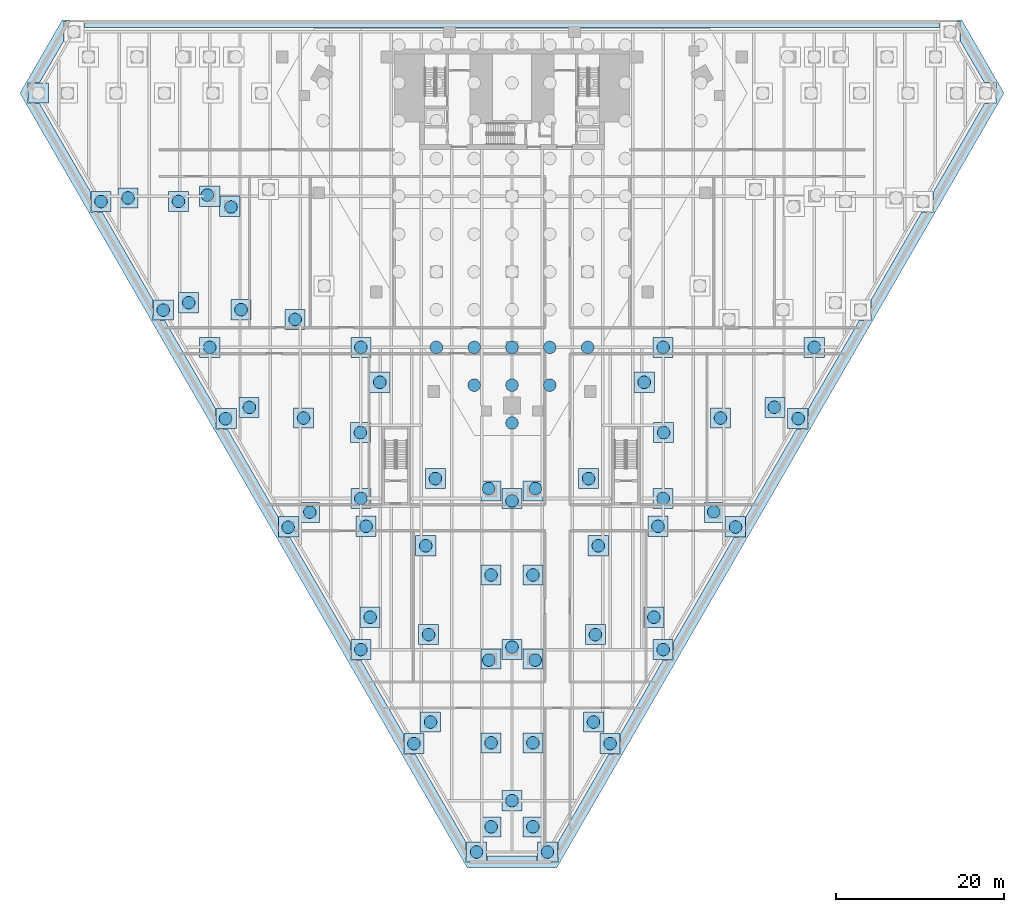
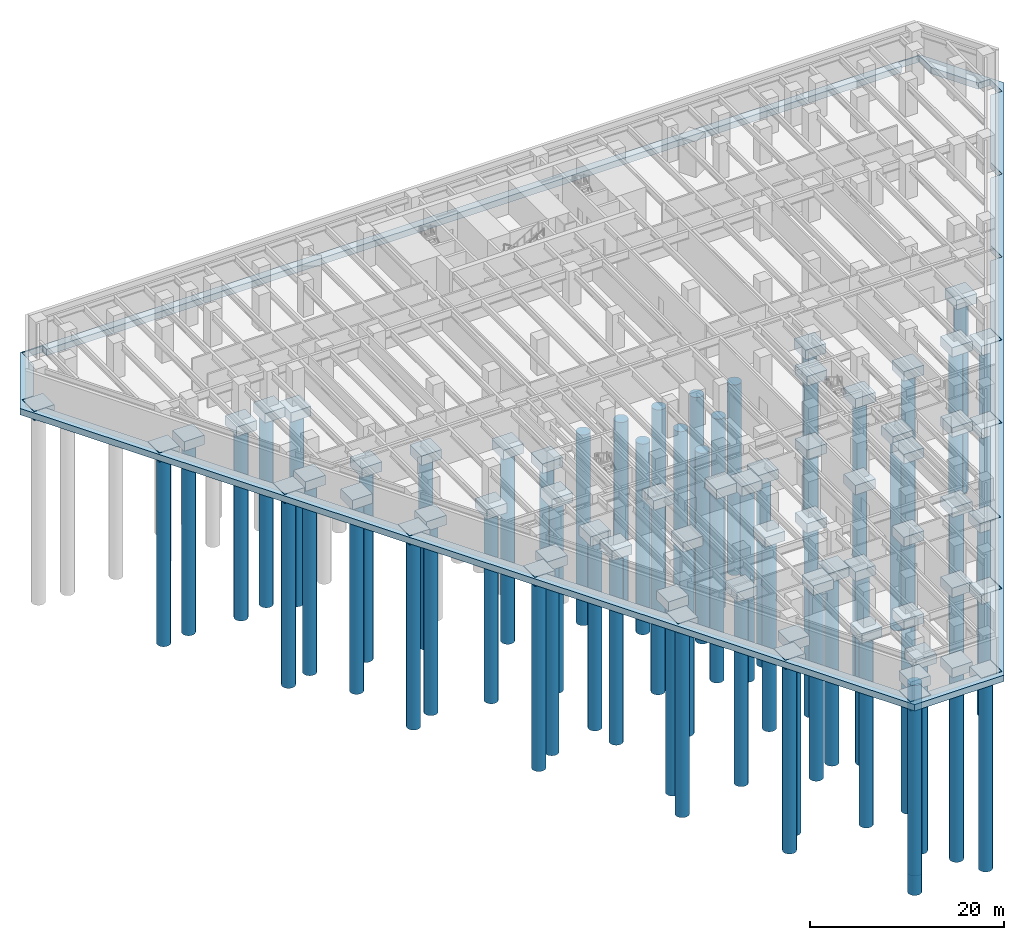
# One storey, part 1 of 18: 69 piles, 62 footings.
"""IFC4 building model written with IfcOpenShell, lengths in metres."""

from ifc_helpers import new_model, si_unit, direction, frame, origin, origin_2d, place, context, subcontext, project, spatial, polyline, rectangle, circle, outline, extrude, material, layer, layer_set, material_profile, profile_set, type_object, element, save


model = new_model("IFC4")

# Units and contexts
model_context = context("Model", 3, precision=1e-05, world=origin(), true_north=direction((0.0, 1.0)))
body_context = subcontext(model_context, "Body", "Model", "MODEL_VIEW")
ifc_project = project(units=[si_unit("LENGTHUNIT", "METRE"), si_unit("AREAUNIT", "SQUARE_METRE"), si_unit("VOLUMEUNIT", "CUBIC_METRE"), si_unit("PLANEANGLEUNIT", "RADIAN"), si_unit("MASSUNIT", "GRAM", prefix="KILO")], contexts=[model_context])

# Site, building, storey
site_placement = place(None, origin())
site = spatial("IfcSite", under=ifc_project, at=site_placement, CompositionType="ELEMENT")
building_placement = place(site_placement, origin())
building = spatial("IfcBuilding", under=site, at=building_placement, Name="Aloe Facet Convention Tower", CompositionType="ELEMENT")
storey_placement = place(building_placement, frame((0.0, 0.0, -9.0)))
storey = spatial("IfcBuildingStorey", under=building, at=storey_placement, Name="B2", CompositionType="ELEMENT", Elevation=-9.0)

# Footings
ifc_material_1 = material(Name="Concrete C40/50", Category="concrete")
footing_type_1 = type_object("IfcFootingType", Name="SF-PAD-3000", PredefinedType="PILE_CAP", material=ifc_material_1)
for number, where, z_axis, x_axis, name in (
    (1, (98.0, 99.0, -1.5), (0.0, 0.0, 1.0), (1.0, 0.0, 0.0), "PILE CAP PC-11E"),
    (2, (98.0, 81.0, -1.5), (0.0, 0.0, 1.0), (1.0, 0.0, 0.0), "PILE CAP PC-11G"),
    (3, (98.0, 63.0, -1.5), (0.0, 0.0, 1.0), (1.0, 0.0, 0.0), "PILE CAP PC-11J"),
    (4, (116.0, 99.0, -1.5), (0.0, 0.0, 1.0), (1.0, 0.0, 0.0), "PILE CAP PC-13E"),
    (5, (44.0, 117.0, -1.5), (0.0, 0.0, 1.0), (1.0, 0.0, 0.0), "PILE CAP PC-5C"),
    (6, (44.0, 99.0, -1.5), (0.0, 0.0, 1.0), (1.0, 0.0, 0.0), "PILE CAP PC-5E"),
    (7, (62.0, 99.0, -1.5), (0.0, 0.0, 1.0), (1.0, 0.0, 0.0), "PILE CAP PC-7E"),
    (8, (62.0, 81.0, -1.5), (0.0, 0.0, 1.0), (1.0, 0.0, 0.0), "PILE CAP PC-7G"),
    (9, (62.0, 63.0, -1.5), (0.0, 0.0, 1.0), (1.0, 0.0, 0.0), "PILE CAP PC-7J"),
    (10, (80.0, 81.0, -1.5), (0.0, 0.0, 1.0), (1.0, 0.0, 0.0), "PILE CAP PC-9G"),
    (11, (80.0, 63.0, -1.5), (0.0, 0.0, 1.0), (1.0, 0.0, 0.0), "PILE CAP PC-9J"),
    (12, (80.0, 45.0, -1.5), (0.0, 0.0, 1.0), (1.0, 0.0, 0.0), "PILE CAP PC-9L"),
    (13, (104.116943359375, 79.343017578125, -1.5), (0.0, 0.0, 1.0), (1.0, 0.0, 0.0), "PILE CAP PE-104-79"),
    (14, (104.8349609375, 90.5849609375, -1.5), (0.0, 0.0, 1.0), (1.0, 0.0, 0.0), "PILE CAP PE-105-91"),
    (15, (106.591064453125, 77.6279296875, -1.5), (0.0, 0.0, 1.0), (1.0, 0.0, 0.0), "PILE CAP PE-107-78"),
    (16, (111.325927734375, 91.827880859375, -1.5), (0.0, 0.0, 1.0), (1.0, 0.0, 0.0), "PILE CAP PE-111-92"),
    (17, (114.047119140625, 90.5419921875, -1.5), (0.0, 0.0, 1.0), (1.0, 0.0, 0.0), "PILE CAP PE-114-91"),
    (18, (23.5849609375, 129.283935546875, -1.5), (0.0, 0.0, 1.0), (1.0, 0.0, 0.0), "PILE CAP PE-24-129"),
    (19, (31.041015625, 116.3701171875, -1.5), (0.0, 0.0, 1.0), (1.0, 0.0, 0.0), "PILE CAP PE-31-116"),
    (20, (34.258056640625, 116.799072265625, -1.5), (0.0, 0.0, 1.0), (1.0, 0.0, 0.0), "PILE CAP PE-34-117"),
    (21, (38.4970703125, 103.4560546875, -1.5), (0.0, 0.0, 1.0), (1.0, 0.0, 0.0), "PILE CAP PE-38-103"),
    (22, (40.27001953125, 116.385009765625, -1.5), (0.0, 0.0, 1.0), (1.0, 0.0, 0.0), "PILE CAP PE-40-116"),
    (23, (41.466064453125, 104.31298828125, -1.5), (0.0, 0.0, 1.0), (1.0, 0.0, 0.0), "PILE CAP PE-41-104"),
    (24, (46.37890625, 115.804931640625, -1.5), (0.0, 0.0, 1.0), (1.0, 0.0, 0.0), "PILE CAP PE-46-116"),
    (25, (45.952880859375, 90.5419921875, -1.5), (0.0, 0.0, 1.0), (1.0, 0.0, 0.0), "PILE CAP PE-46-91"),
    (26, (47.718017578125, 103.485107421875, -1.5), (0.0, 0.0, 1.0), (1.0, 0.0, 0.0), "PILE CAP PE-48-103"),
    (27, (48.674072265625, 91.827880859375, -1.5), (0.0, 0.0, 1.0), (1.0, 0.0, 0.0), "PILE CAP PE-49-92"),
    (28, (53.408935546875, 77.6279296875, -1.5), (0.0, 0.0, 1.0), (1.0, 0.0, 0.0), "PILE CAP PE-53-78"),
    (29, (54.160888671875, 102.324951171875, -1.5), (0.0, 0.0, 1.0), (1.0, 0.0, 0.0), "PILE CAP PE-54-102"),
    (30, (55.1650390625, 90.5849609375, -1.5), (0.0, 0.0, 1.0), (1.0, 0.0, 0.0), "PILE CAP PE-55-91"),
    (31, (55.883056640625, 79.343017578125, -1.5), (0.0, 0.0, 1.0), (1.0, 0.0, 0.0), "PILE CAP PE-56-79"),
    (32, (61.943115234375, 88.844970703125, -1.5), (0.0, 0.0, 1.0), (1.0, 0.0, 0.0), "PILE CAP PE-62-89"),
    (33, (63.091064453125, 66.85693359375, -1.5), (0.0, 0.0, 1.0), (1.0, 0.0, 0.0), "PILE CAP PE-63-67"),
    (34, (62.613037109375, 77.68603515625, -1.5), (0.0, 0.0, 1.0), (1.0, 0.0, 0.0), "PILE CAP PE-63-78"),
    (35, (64.2529296875, 94.844970703125, -1.5), (0.0, 0.0, 1.0), (1.0, 0.0, 0.0), "PILE CAP PE-64-95"),
    (36, (68.320068359375, 51.800048828125, -1.5), (0.0, 0.0, 1.0), (1.0, 0.0, 0.0), "PILE CAP PE-68-52"),
    (37, (70.300048828125, 54.3720703125, -1.5), (0.0, 0.0, 1.0), (1.0, 0.0, 0.0), "PILE CAP PE-70-54"),
    (38, (70.06103515625, 64.785888671875, -1.5), (0.0, 0.0, 1.0), (1.0, 0.0, 0.0), "PILE CAP PE-70-65"),
    (39, (69.72607421875, 75.365966796875, -1.5), (0.0, 0.0, 1.0), (1.0, 0.0, 0.0), "PILE CAP PE-70-75"),
    (40, (70.881103515625, 83.365966796875, -1.5), (0.0, 0.0, 1.0), (1.0, 0.0, 0.0), "PILE CAP PE-71-83"),
    (41, (75.77587890625, 38.885986328125, -1.5), (0.0, 0.0, 1.0), (1.0, 0.0, 0.0), "PILE CAP PE-76-39"),
    (42, (77.508056640625, 41.885986328125, -1.5), (0.0, 0.0, 1.0), (1.0, 0.0, 0.0), "PILE CAP PE-78-42"),
    (43, (77.508056640625, 51.885986328125, -1.5), (0.0, 0.0, 1.0), (1.0, 0.0, 0.0), "PILE CAP PE-78-52"),
    (44, (77.508056640625, 61.885986328125, -1.5), (0.0, 0.0, 1.0), (1.0, 0.0, 0.0), "PILE CAP PE-78-62"),
    (45, (77.508056640625, 71.885986328125, -1.5), (0.0, 0.0, 1.0), (1.0, 0.0, 0.0), "PILE CAP PE-78-72"),
    (46, (77.508056640625, 81.885986328125, -1.5), (0.0, 0.0, 1.0), (1.0, 0.0, 0.0), "PILE CAP PE-78-82"),
    (47, (82.491943359375, 41.885986328125, -1.5), (0.0, 0.0, 1.0), (1.0, 0.0, 0.0), "PILE CAP PE-82-42"),
    (48, (82.491943359375, 51.885986328125, -1.5), (0.0, 0.0, 1.0), (1.0, 0.0, 0.0), "PILE CAP PE-82-52"),
    (49, (82.491943359375, 61.885986328125, -1.5), (0.0, 0.0, 1.0), (1.0, 0.0, 0.0), "PILE CAP PE-82-62"),
    (50, (82.491943359375, 71.885986328125, -1.5), (0.0, 0.0, 1.0), (1.0, 0.0, 0.0), "PILE CAP PE-82-72"),
    (51, (82.491943359375, 81.885986328125, -1.5), (0.0, 0.0, 1.0), (1.0, 0.0, 0.0), "PILE CAP PE-82-82"),
    (52, (84.22412109375, 38.885986328125, -1.5), (0.0, 0.0, 1.0), (1.0, 0.0, 0.0), "PILE CAP PE-84-39"),
    (53, (89.118896484375, 83.365966796875, -1.5), (0.0, 0.0, 1.0), (1.0, 0.0, 0.0), "PILE CAP PE-89-83"),
    (54, (89.699951171875, 54.3720703125, -1.5), (0.0, 0.0, 1.0), (1.0, 0.0, 0.0), "PILE CAP PE-90-54"),
    (55, (89.93896484375, 64.785888671875, -1.5), (0.0, 0.0, 1.0), (1.0, 0.0, 0.0), "PILE CAP PE-90-65"),
    (56, (90.27392578125, 75.365966796875, -1.5), (0.0, 0.0, 1.0), (1.0, 0.0, 0.0), "PILE CAP PE-90-75"),
    (57, (91.679931640625, 51.800048828125, -1.5), (0.0, 0.0, 1.0), (1.0, 0.0, 0.0), "PILE CAP PE-92-52"),
    (58, (95.7470703125, 94.844970703125, -1.5), (0.0, 0.0, 1.0), (1.0, 0.0, 0.0), "PILE CAP PE-96-95"),
    (59, (96.908935546875, 66.85693359375, -1.5), (0.0, 0.0, 1.0), (1.0, 0.0, 0.0), "PILE CAP PE-97-67"),
    (60, (97.386962890625, 77.68603515625, -1.5), (0.0, 0.0, 1.0), (1.0, 0.0, 0.0), "PILE CAP PE-97-78"),
    (61, (98.056884765625, 88.844970703125, -1.5), (0.0, 0.0, 1.0), (1.0, 0.0, 0.0), "PILE CAP PE-98-89"),
):
    element("IfcFooting", number, at=place(storey_placement, frame(where, z_axis=z_axis, x_axis=x_axis)), inside=storey, type_object=footing_type_1, Name=name, PredefinedType="PILE_CAP", context=body_context, shape_type="SweptSolid", body=[
        extrude(rectangle(XDim=2.39990234375, YDim=2.39990234375, at=origin_2d()), origin(), (0.0, 0.0, 1.0), 1.199951171875),
    ])

# Piles
ifc_material_2 = material(Name="Concrete C40/50", Category="concrete")
ifc_material_profile = material_profile(ifc_material_2, circle(Radius=0.75, at=origin_2d()), Name="D1500")
ifc_profile_set = profile_set([ifc_material_profile], Name="Concrete C40/50")
pile_type = type_object("IfcPileType", Name="SF-PILE-D1500", PredefinedType="BORED", material=ifc_profile_set)
for number, where, z_axis, x_axis, name in (
    (62, (71.0, 99.0, -2.14990234375), (0.0, 0.0, -1.0), (1.0, 0.0, 0.0), "BORED PILE 041"),
    (63, (75.5, 94.5, -2.14990234375), (0.0, 0.0, -1.0), (1.0, 0.0, 0.0), "BORED PILE 045"),
    (64, (75.5, 99.0, -2.14990234375), (0.0, 0.0, -1.0), (1.0, 0.0, 0.0), "BORED PILE 046"),
    (65, (80.0, 90.0, -2.14990234375), (0.0, 0.0, -1.0), (1.0, 0.0, 0.0), "BORED PILE 050"),
    (66, (80.0, 94.5, -2.14990234375), (0.0, 0.0, -1.0), (1.0, 0.0, 0.0), "BORED PILE 051"),
    (67, (80.0, 99.0, -2.14990234375), (0.0, 0.0, -1.0), (1.0, 0.0, 0.0), "BORED PILE 052"),
    (68, (84.5, 94.5, -2.14990234375), (0.0, 0.0, -1.0), (1.0, 0.0, 0.0), "BORED PILE 056"),
    (69, (84.5, 99.0, -2.14990234375), (0.0, 0.0, -1.0), (1.0, 0.0, 0.0), "BORED PILE 057"),
    (70, (89.0, 99.0, -2.14990234375), (0.0, 0.0, -1.0), (1.0, 0.0, 0.0), "BORED PILE 061"),
    (71, (98.0, 99.0, -1.35009765625), (0.0, 0.0, -1.0), (1.0, 0.0, 0.0), "BORED PILE 070"),
    (72, (98.0, 81.0, -1.35009765625), (0.0, 0.0, -1.0), (1.0, 0.0, 0.0), "BORED PILE 071"),
    (73, (98.0, 63.0, -1.35009765625), (0.0, 0.0, -1.0), (1.0, 0.0, 0.0), "BORED PILE 072"),
    (74, (116.0, 99.0, -1.35009765625), (0.0, 0.0, -1.0), (1.0, 0.0, 0.0), "BORED PILE 074"),
    (75, (43.7099609375, 117.146484375, -1.35009765625), (0.0, 0.0, -1.0), (1.0, 0.0, 0.0), "BORED PILE 075"),
    (76, (44.0, 99.0, -1.35009765625), (0.0, 0.0, -1.0), (1.0, 0.0, 0.0), "BORED PILE 076"),
    (77, (62.0, 99.0, -1.35009765625), (0.0, 0.0, -1.0), (1.0, 0.0, 0.0), "BORED PILE 077"),
    (78, (62.0, 81.0, -1.35009765625), (0.0, 0.0, -1.0), (1.0, 0.0, 0.0), "BORED PILE 078"),
    (79, (62.0, 63.0, -1.35009765625), (0.0, 0.0, -1.0), (1.0, 0.0, 0.0), "BORED PILE 079"),
    (80, (80.0, 80.7099609375, -1.35009765625), (0.0, 0.0, -1.0), (1.0, 0.0, 0.0), "BORED PILE 080"),
    (81, (80.0, 63.2900390625, -1.35009765625), (0.0, 0.0, -1.0), (1.0, 0.0, 0.0), "BORED PILE 081"),
    (82, (80.0, 45.0, -1.35009765625), (0.0, 0.0, -1.0), (1.0, 0.0, 0.0), "BORED PILE 082"),
    (83, (104.039794921875, 79.396484375, -1.35009765625), (0.0, 0.0, -1.0), (1.0, 0.0, 0.0), "BORED PILE 084"),
    (84, (104.8349609375, 90.5849609375, -1.35009765625), (0.0, 0.0, -1.0), (1.0, 0.0, 0.0), "BORED PILE 085"),
    (85, (106.629150390625, 77.6015625, -1.35009765625), (0.0, 0.0, -1.0), (1.0, 0.0, 0.0), "BORED PILE 087"),
    (86, (111.240478515625, 91.868408203125, -1.35009765625), (0.0, 0.0, -1.0), (1.0, 0.0, 0.0), "BORED PILE 090"),
    (87, (114.089111328125, 90.52197265625, -1.35009765625), (0.0, 0.0, -1.0), (1.0, 0.0, 0.0), "BORED PILE 094"),
    (88, (31.041015625, 116.3701171875, -1.35009765625), (0.0, 0.0, -1.0), (1.0, 0.0, 0.0), "BORED PILE 114"),
    (89, (34.258056640625, 116.799072265625, -1.35009765625), (0.0, 0.0, -1.0), (1.0, 0.0, 0.0), "BORED PILE 116"),
    (90, (38.4580078125, 103.44482421875, -1.35009765625), (0.0, 0.0, -1.0), (1.0, 0.0, 0.0), "BORED PILE 118"),
    (91, (40.27001953125, 116.385009765625, -1.35009765625), (0.0, 0.0, -1.0), (1.0, 0.0, 0.0), "BORED PILE 120"),
    (92, (41.484619140625, 104.318359375, -1.35009765625), (0.0, 0.0, -1.0), (1.0, 0.0, 0.0), "BORED PILE 121"),
    (93, (46.5244140625, 115.73193359375, -1.35009765625), (0.0, 0.0, -1.0), (1.0, 0.0, 0.0), "BORED PILE 125"),
    (94, (45.867431640625, 90.501708984375, -1.35009765625), (0.0, 0.0, -1.0), (1.0, 0.0, 0.0), "BORED PILE 126"),
    (95, (47.718017578125, 103.485107421875, -1.35009765625), (0.0, 0.0, -1.0), (1.0, 0.0, 0.0), "BORED PILE 128"),
    (96, (48.71630859375, 91.847900390625, -1.35009765625), (0.0, 0.0, -1.0), (1.0, 0.0, 0.0), "BORED PILE 129"),
    (97, (53.331787109375, 77.574462890625, -1.35009765625), (0.0, 0.0, -1.0), (1.0, 0.0, 0.0), "BORED PILE 132"),
    (98, (54.160888671875, 102.324951171875, -1.35009765625), (0.0, 0.0, -1.0), (1.0, 0.0, 0.0), "BORED PILE 133"),
    (99, (55.1650390625, 90.5849609375, -1.35009765625), (0.0, 0.0, -1.0), (1.0, 0.0, 0.0), "BORED PILE 134"),
    (100, (55.921142578125, 79.369384765625, -1.35009765625), (0.0, 0.0, -1.0), (1.0, 0.0, 0.0), "BORED PILE 135"),
    (101, (61.943115234375, 88.844970703125, -1.35009765625), (0.0, 0.0, -1.0), (1.0, 0.0, 0.0), "BORED PILE 137"),
    (102, (63.091064453125, 66.85693359375, -1.35009765625), (0.0, 0.0, -1.0), (1.0, 0.0, 0.0), "BORED PILE 138"),
    (103, (62.613037109375, 77.68603515625, -1.35009765625), (0.0, 0.0, -1.0), (1.0, 0.0, 0.0), "BORED PILE 139"),
    (104, (64.2529296875, 94.844970703125, -1.35009765625), (0.0, 0.0, -1.0), (1.0, 0.0, 0.0), "BORED PILE 140"),
    (105, (68.320068359375, 51.800048828125, -1.35009765625), (0.0, 0.0, -1.0), (1.0, 0.0, 0.0), "BORED PILE 141"),
    (106, (70.300048828125, 54.3720703125, -1.35009765625), (0.0, 0.0, -1.0), (1.0, 0.0, 0.0), "BORED PILE 142"),
    (107, (70.06103515625, 64.785888671875, -1.35009765625), (0.0, 0.0, -1.0), (1.0, 0.0, 0.0), "BORED PILE 143"),
    (108, (69.72607421875, 75.365966796875, -1.35009765625), (0.0, 0.0, -1.0), (1.0, 0.0, 0.0), "BORED PILE 144"),
    (109, (70.881103515625, 83.365966796875, -1.35009765625), (0.0, 0.0, -1.0), (1.0, 0.0, 0.0), "BORED PILE 145"),
    (110, (75.77587890625, 38.885986328125, -1.35009765625), (0.0, 0.0, -1.0), (1.0, 0.0, 0.0), "BORED PILE 146"),
    (111, (77.508056640625, 41.885986328125, -1.35009765625), (0.0, 0.0, -1.0), (1.0, 0.0, 0.0), "BORED PILE 147"),
    (112, (77.508056640625, 51.885986328125, -1.35009765625), (0.0, 0.0, -1.0), (1.0, 0.0, 0.0), "BORED PILE 148"),
    (113, (77.25146484375, 61.75, -1.35009765625), (0.0, 0.0, -1.0), (1.0, 0.0, 0.0), "BORED PILE 149"),
    (114, (77.508056640625, 71.885986328125, -1.35009765625), (0.0, 0.0, -1.0), (1.0, 0.0, 0.0), "BORED PILE 150"),
    (115, (77.218017578125, 82.176025390625, -1.35009765625), (0.0, 0.0, -1.0), (1.0, 0.0, 0.0), "BORED PILE 151"),
    (116, (82.491943359375, 41.885986328125, -1.35009765625), (0.0, 0.0, -1.0), (1.0, 0.0, 0.0), "BORED PILE 152"),
    (117, (82.491943359375, 51.885986328125, -1.35009765625), (0.0, 0.0, -1.0), (1.0, 0.0, 0.0), "BORED PILE 153"),
    (118, (82.74853515625, 61.75, -1.35009765625), (0.0, 0.0, -1.0), (1.0, 0.0, 0.0), "BORED PILE 154"),
    (119, (82.491943359375, 71.885986328125, -1.35009765625), (0.0, 0.0, -1.0), (1.0, 0.0, 0.0), "BORED PILE 155"),
    (120, (82.781982421875, 82.176025390625, -1.35009765625), (0.0, 0.0, -1.0), (1.0, 0.0, 0.0), "BORED PILE 156"),
    (121, (84.22412109375, 38.885986328125, -1.35009765625), (0.0, 0.0, -1.0), (1.0, 0.0, 0.0), "BORED PILE 157"),
    (122, (89.118896484375, 83.365966796875, -1.35009765625), (0.0, 0.0, -1.0), (1.0, 0.0, 0.0), "BORED PILE 158"),
    (123, (89.699951171875, 54.3720703125, -1.35009765625), (0.0, 0.0, -1.0), (1.0, 0.0, 0.0), "BORED PILE 159"),
    (124, (89.93896484375, 64.785888671875, -1.35009765625), (0.0, 0.0, -1.0), (1.0, 0.0, 0.0), "BORED PILE 160"),
    (125, (90.27392578125, 75.365966796875, -1.35009765625), (0.0, 0.0, -1.0), (1.0, 0.0, 0.0), "BORED PILE 161"),
    (126, (91.679931640625, 51.800048828125, -1.35009765625), (0.0, 0.0, -1.0), (1.0, 0.0, 0.0), "BORED PILE 162"),
    (127, (95.7470703125, 94.844970703125, -1.35009765625), (0.0, 0.0, -1.0), (1.0, 0.0, 0.0), "BORED PILE 163"),
    (128, (96.908935546875, 66.85693359375, -1.35009765625), (0.0, 0.0, -1.0), (1.0, 0.0, 0.0), "BORED PILE 164"),
    (129, (97.386962890625, 77.68603515625, -1.35009765625), (0.0, 0.0, -1.0), (1.0, 0.0, 0.0), "BORED PILE 165"),
    (130, (98.056884765625, 88.844970703125, -1.35009765625), (0.0, 0.0, -1.0), (1.0, 0.0, 0.0), "BORED PILE 166"),
):
    element("IfcPile", number, at=place(storey_placement, frame(where, z_axis=z_axis, x_axis=x_axis)), inside=storey, type_object=pile_type, Name=name, PredefinedType="BORED", context=body_context, shape_type="SweptSolid", body=[
        extrude(circle(Radius=0.75, at=origin_2d()), origin(), (0.0, 0.0, 1.0), 24.0),
    ])

# Footing
ifc_material_3 = material(Name="Concrete C40/50", Category="concrete")
ifc_layer = layer(ifc_material_3, 0.800048828125)
ifc_layer_set = layer_set([ifc_layer], Name="SF-STRIP-1400")
footing_type_2 = type_object("IfcFootingType", Name="SF-STRIP-1400", PredefinedType="STRIP_FOOTING", material=ifc_layer_set)
footing_placement = place(storey_placement, frame((0.0, 0.0, -1.10009765625)))
element("IfcFooting", 131, at=footing_placement, inside=storey, type_object=footing_type_2, Name="STRIP FOOTING SF1-01", PredefinedType="STRIP_FOOTING", context=body_context, shape_type="SweptSolid", body=[
    extrude(outline(polyline([(26.423095703125, 138.0), (133.576904296875, 138.0), (138.60888671875, 129.2841796875), (85.32080078125, 36.986328125), (74.67919921875, 36.986328125), (21.39111328125, 129.2841796875), (26.423095703125, 138.0)]), holes=[polyline([(22.385009765625, 130.533935546875), (22.380126953125, 130.53369140625), (22.375244140625, 130.532958984375), (22.37060546875, 130.53173828125), (22.365966796875, 130.5302734375), (22.361328125, 130.528076171875), (22.357177734375, 130.525634765625), (22.353271484375, 130.522705078125), (22.349609375, 130.519287109375), (22.34619140625, 130.515625), (22.343505859375, 130.51171875), (22.3408203125, 130.507568359375), (22.3388671875, 130.503173828125), (22.337158203125, 130.49853515625), (22.3359375, 130.493896484375), (22.335205078125, 130.489013671875), (22.3349609375, 130.48388671875), (22.3349609375, 128.083984375), (22.335205078125, 128.0791015625), (22.3359375, 128.07421875), (22.337158203125, 128.069580078125), (22.3388671875, 128.06494140625), (22.3408203125, 128.060302734375), (22.343505859375, 128.05615234375), (22.34619140625, 128.05224609375), (22.349609375, 128.048583984375), (22.353271484375, 128.04541015625), (22.357177734375, 128.04248046875), (22.361328125, 128.039794921875), (22.365966796875, 128.037841796875), (22.37060546875, 128.0361328125), (22.375244140625, 128.034912109375), (22.380126953125, 128.0341796875), (22.385009765625, 128.033935546875), (23.7294921875, 128.033935546875), (29.791015625, 117.53515625), (29.791015625, 115.169921875), (29.791259765625, 115.1650390625), (29.7919921875, 115.16015625), (29.793212890625, 115.155517578125), (29.794921875, 115.15087890625), (29.796875, 115.146484375), (29.79931640625, 115.14208984375), (29.80224609375, 115.13818359375), (29.8056640625, 115.134521484375), (29.809326171875, 115.13134765625), (29.813232421875, 115.12841796875), (29.8173828125, 115.1259765625), (29.822021484375, 115.123779296875), (29.826416015625, 115.122314453125), (29.831298828125, 115.12109375), (29.836181640625, 115.1201171875), (29.841064453125, 115.1201171875), (31.185302734375, 115.1201171875), (37.2470703125, 104.620849609375), (37.2470703125, 102.256103515625), (37.247314453125, 102.251220703125), (37.248046875, 102.24609375), (37.249267578125, 102.241455078125), (37.250732421875, 102.23681640625), (37.2529296875, 102.232421875), (37.25537109375, 102.228271484375), (37.25830078125, 102.224365234375), (37.26171875, 102.220703125), (37.265380859375, 102.21728515625), (37.269287109375, 102.21435546875), (37.2734375, 102.2119140625), (37.27783203125, 102.209716796875), (37.282470703125, 102.208251953125), (37.287109375, 102.20703125), (37.2919921875, 102.206298828125), (37.297119140625, 102.2060546875), (38.64111328125, 102.2060546875), (44.702880859375, 91.706787109375), (44.702880859375, 89.342041015625), (44.703125, 89.337158203125), (44.7041015625, 89.332275390625), (44.705078125, 89.327392578125), (44.706787109375, 89.322998046875), (44.708984375, 89.318359375), (44.71142578125, 89.314208984375), (44.71435546875, 89.310302734375), (44.717529296875, 89.306640625), (44.72119140625, 89.30322265625), (44.72509765625, 89.30029296875), (44.7294921875, 89.2978515625), (44.73388671875, 89.2958984375), (44.738525390625, 89.294189453125), (44.7431640625, 89.29296875), (44.748046875, 89.292236328125), (44.7529296875, 89.2919921875), (46.09716796875, 89.2919921875), (52.158935546875, 78.79248046875), (52.158935546875, 76.427978515625), (52.1591796875, 76.423095703125), (52.159912109375, 76.418212890625), (52.1611328125, 76.41357421875), (52.162841796875, 76.408935546875), (52.164794921875, 76.404296875), (52.16748046875, 76.400146484375), (52.17041015625, 76.396240234375), (52.173583984375, 76.392578125), (52.17724609375, 76.389404296875), (52.18115234375, 76.386474609375), (52.185302734375, 76.3837890625), (52.18994140625, 76.3818359375), (52.194580078125, 76.380126953125), (52.19921875, 76.37890625), (52.2041015625, 76.378173828125), (52.208984375, 76.3779296875), (53.552978515625, 76.3779296875), (60.75, 63.91259765625), (60.75, 61.800048828125), (60.750244140625, 61.795166015625), (60.7509765625, 61.790283203125), (60.752197265625, 61.785400390625), (60.75390625, 61.781005859375), (60.755859375, 61.7763671875), (60.75830078125, 61.772216796875), (60.76123046875, 61.768310546875), (60.7646484375, 61.7646484375), (60.768310546875, 61.76123046875), (60.772216796875, 61.75830078125), (60.7763671875, 61.755859375), (60.781005859375, 61.75390625), (60.785400390625, 61.752197265625), (60.790283203125, 61.7509765625), (60.795166015625, 61.750244140625), (60.800048828125, 61.75), (61.99853515625, 61.75), (67.070068359375, 52.9658203125), (67.070068359375, 50.60009765625), (67.0703125, 50.59521484375), (67.071044921875, 50.590087890625), (67.072265625, 50.58544921875), (67.07373046875, 50.580810546875), (67.075927734375, 50.576416015625), (67.078369140625, 50.572265625), (67.081298828125, 50.568359375), (67.084716796875, 50.564697265625), (67.08837890625, 50.561279296875), (67.09228515625, 50.558349609375), (67.096435546875, 50.555908203125), (67.100830078125, 50.5537109375), (67.10546875, 50.55224609375), (67.110107421875, 50.551025390625), (67.114990234375, 50.55029296875), (67.1201171875, 50.550048828125), (68.46484375, 50.550048828125), (74.52587890625, 40.0517578125), (74.52587890625, 37.68603515625), (74.526123046875, 37.68115234375), (74.527099609375, 37.67626953125), (74.5283203125, 37.67138671875), (74.52978515625, 37.6669921875), (74.531982421875, 37.662353515625), (74.534423828125, 37.658203125), (74.537353515625, 37.654296875), (74.54052734375, 37.650634765625), (74.544189453125, 37.647216796875), (74.548095703125, 37.644287109375), (74.552490234375, 37.641845703125), (74.556884765625, 37.639892578125), (74.5615234375, 37.63818359375), (74.566162109375, 37.636962890625), (74.571044921875, 37.63623046875), (74.575927734375, 37.635986328125), (76.97607421875, 37.635986328125), (76.98095703125, 37.63623046875), (76.98583984375, 37.636962890625), (76.990478515625, 37.63818359375), (76.9951171875, 37.639892578125), (76.99951171875, 37.641845703125), (77.00390625, 37.644287109375), (77.0078125, 37.647216796875), (77.011474609375, 37.650634765625), (77.0146484375, 37.654296875), (77.017578125, 37.658203125), (77.02001953125, 37.662353515625), (77.022216796875, 37.6669921875), (77.023681640625, 37.67138671875), (77.02490234375, 37.67626953125), (77.02587890625, 37.68115234375), (77.02587890625, 37.68603515625), (77.02587890625, 38.38623046875), (82.97412109375, 38.38623046875), (82.97412109375, 37.68603515625), (82.97412109375, 37.68115234375), (82.97509765625, 37.67626953125), (82.976318359375, 37.67138671875), (82.977783203125, 37.6669921875), (82.97998046875, 37.662353515625), (82.982421875, 37.658203125), (82.9853515625, 37.654296875), (82.988525390625, 37.650634765625), (82.9921875, 37.647216796875), (82.99609375, 37.644287109375), (83.00048828125, 37.641845703125), (83.0048828125, 37.639892578125), (83.009521484375, 37.63818359375), (83.01416015625, 37.636962890625), (83.01904296875, 37.63623046875), (83.02392578125, 37.635986328125), (85.424072265625, 37.635986328125), (85.428955078125, 37.63623046875), (85.433837890625, 37.636962890625), (85.4384765625, 37.63818359375), (85.443115234375, 37.639892578125), (85.447509765625, 37.641845703125), (85.451904296875, 37.644287109375), (85.455810546875, 37.647216796875), (85.45947265625, 37.650634765625), (85.462646484375, 37.654296875), (85.465576171875, 37.658203125), (85.468017578125, 37.662353515625), (85.47021484375, 37.6669921875), (85.4716796875, 37.67138671875), (85.472900390625, 37.67626953125), (85.473876953125, 37.68115234375), (85.47412109375, 37.68603515625), (85.47412109375, 40.0517578125), (91.53515625, 50.550048828125), (92.8798828125, 50.550048828125), (92.885009765625, 50.55029296875), (92.889892578125, 50.551025390625), (92.89453125, 50.55224609375), (92.899169921875, 50.5537109375), (92.903564453125, 50.555908203125), (92.90771484375, 50.558349609375), (92.91162109375, 50.561279296875), (92.915283203125, 50.564697265625), (92.918701171875, 50.568359375), (92.921630859375, 50.572265625), (92.924072265625, 50.576416015625), (92.92626953125, 50.580810546875), (92.927734375, 50.58544921875), (92.928955078125, 50.590087890625), (92.9296875, 50.59521484375), (92.929931640625, 50.60009765625), (92.929931640625, 52.9658203125), (98.00146484375, 61.75), (99.199951171875, 61.75), (99.204833984375, 61.750244140625), (99.209716796875, 61.7509765625), (99.214599609375, 61.752197265625), (99.218994140625, 61.75390625), (99.2236328125, 61.755859375), (99.227783203125, 61.75830078125), (99.231689453125, 61.76123046875), (99.2353515625, 61.7646484375), (99.23876953125, 61.768310546875), (99.24169921875, 61.772216796875), (99.244140625, 61.7763671875), (99.24609375, 61.781005859375), (99.247802734375, 61.785400390625), (99.2490234375, 61.790283203125), (99.249755859375, 61.795166015625), (99.25, 61.800048828125), (99.25, 63.91259765625), (106.447021484375, 76.3779296875), (107.791015625, 76.3779296875), (107.7958984375, 76.378173828125), (107.80078125, 76.37890625), (107.805419921875, 76.380126953125), (107.81005859375, 76.3818359375), (107.814697265625, 76.3837890625), (107.81884765625, 76.386474609375), (107.82275390625, 76.389404296875), (107.826416015625, 76.392578125), (107.82958984375, 76.396240234375), (107.83251953125, 76.400146484375), (107.835205078125, 76.404296875), (107.837158203125, 76.408935546875), (107.8388671875, 76.41357421875), (107.840087890625, 76.418212890625), (107.8408203125, 76.423095703125), (107.841064453125, 76.427978515625), (107.841064453125, 78.79248046875), (113.90283203125, 89.2919921875), (115.2470703125, 89.2919921875), (115.251953125, 89.292236328125), (115.2568359375, 89.29296875), (115.261474609375, 89.294189453125), (115.26611328125, 89.2958984375), (115.2705078125, 89.2978515625), (115.27490234375, 89.30029296875), (115.27880859375, 89.30322265625), (115.282470703125, 89.306640625), (115.28564453125, 89.310302734375), (115.28857421875, 89.314208984375), (115.291015625, 89.318359375), (115.293212890625, 89.322998046875), (115.294921875, 89.327392578125), (115.2958984375, 89.332275390625), (115.296875, 89.337158203125), (115.297119140625, 89.342041015625), (115.297119140625, 91.706787109375), (121.35888671875, 102.2060546875), (122.702880859375, 102.2060546875), (122.7080078125, 102.206298828125), (122.712890625, 102.20703125), (122.717529296875, 102.208251953125), (122.72216796875, 102.209716796875), (122.7265625, 102.2119140625), (122.730712890625, 102.21435546875), (122.734619140625, 102.21728515625), (122.73828125, 102.220703125), (122.74169921875, 102.224365234375), (122.74462890625, 102.228271484375), (122.7470703125, 102.232421875), (122.749267578125, 102.23681640625), (122.750732421875, 102.241455078125), (122.751953125, 102.24609375), (122.752685546875, 102.251220703125), (122.7529296875, 102.256103515625), (122.7529296875, 104.620849609375), (128.814697265625, 115.1201171875), (130.158935546875, 115.1201171875), (130.163818359375, 115.1201171875), (130.168701171875, 115.12109375), (130.173583984375, 115.122314453125), (130.177978515625, 115.123779296875), (130.1826171875, 115.1259765625), (130.186767578125, 115.12841796875), (130.190673828125, 115.13134765625), (130.1943359375, 115.134521484375), (130.19775390625, 115.13818359375), (130.20068359375, 115.14208984375), (130.203125, 115.146484375), (130.205078125, 115.15087890625), (130.206787109375, 115.155517578125), (130.2080078125, 115.16015625), (130.208740234375, 115.1650390625), (130.208984375, 115.169921875), (130.208984375, 117.53515625), (136.2705078125, 128.033935546875), (137.614990234375, 128.033935546875), (137.619873046875, 128.0341796875), (137.624755859375, 128.034912109375), (137.62939453125, 128.0361328125), (137.634033203125, 128.037841796875), (137.638671875, 128.039794921875), (137.642822265625, 128.04248046875), (137.646728515625, 128.04541015625), (137.650390625, 128.048583984375), (137.65380859375, 128.05224609375), (137.656494140625, 128.05615234375), (137.6591796875, 128.060302734375), (137.6611328125, 128.06494140625), (137.662841796875, 128.069580078125), (137.6640625, 128.07421875), (137.664794921875, 128.0791015625), (137.6650390625, 128.083984375), (137.6650390625, 130.48388671875), (137.664794921875, 130.489013671875), (137.6640625, 130.493896484375), (137.662841796875, 130.49853515625), (137.6611328125, 130.503173828125), (137.6591796875, 130.507568359375), (137.656494140625, 130.51171875), (137.65380859375, 130.515625), (137.650390625, 130.519287109375), (137.646728515625, 130.522705078125), (137.642822265625, 130.525634765625), (137.638671875, 130.528076171875), (137.634033203125, 130.5302734375), (137.62939453125, 130.53173828125), (137.624755859375, 130.532958984375), (137.619873046875, 130.53369140625), (137.614990234375, 130.533935546875), (136.270751953125, 130.533935546875), (133.44091796875, 135.435302734375), (133.44091796875, 137.800048828125), (133.44091796875, 137.804931640625), (133.43994140625, 137.809814453125), (133.438720703125, 137.814453125), (133.437255859375, 137.819091796875), (133.43505859375, 137.823486328125), (133.4326171875, 137.827880859375), (133.4296875, 137.831787109375), (133.426513671875, 137.83544921875), (133.422607421875, 137.838623046875), (133.418701171875, 137.841552734375), (133.41455078125, 137.843994140625), (133.41015625, 137.84619140625), (133.405517578125, 137.847900390625), (133.40087890625, 137.84912109375), (133.39599609375, 137.849853515625), (133.39111328125, 137.85009765625), (130.990966796875, 137.85009765625), (130.986083984375, 137.849853515625), (130.981201171875, 137.84912109375), (130.9765625, 137.847900390625), (130.971923828125, 137.84619140625), (130.96728515625, 137.843994140625), (130.963134765625, 137.841552734375), (130.959228515625, 137.838623046875), (130.95556640625, 137.83544921875), (130.952392578125, 137.831787109375), (130.949462890625, 137.827880859375), (130.947021484375, 137.823486328125), (130.94482421875, 137.819091796875), (130.943115234375, 137.814453125), (130.94189453125, 137.809814453125), (130.941162109375, 137.804931640625), (130.94091796875, 137.800048828125), (130.94091796875, 137.10009765625), (29.05908203125, 137.10009765625), (29.05908203125, 137.800048828125), (29.058837890625, 137.804931640625), (29.05810546875, 137.809814453125), (29.056884765625, 137.814453125), (29.05517578125, 137.819091796875), (29.052978515625, 137.823486328125), (29.050537109375, 137.827880859375), (29.047607421875, 137.831787109375), (29.04443359375, 137.83544921875), (29.040771484375, 137.838623046875), (29.036865234375, 137.841552734375), (29.03271484375, 137.843994140625), (29.028076171875, 137.84619140625), (29.0234375, 137.847900390625), (29.018798828125, 137.84912109375), (29.013916015625, 137.849853515625), (29.009033203125, 137.85009765625), (26.60888671875, 137.85009765625), (26.60400390625, 137.849853515625), (26.59912109375, 137.84912109375), (26.594482421875, 137.847900390625), (26.58984375, 137.84619140625), (26.58544921875, 137.843994140625), (26.581298828125, 137.841552734375), (26.577392578125, 137.838623046875), (26.573486328125, 137.83544921875), (26.5703125, 137.831787109375), (26.5673828125, 137.827880859375), (26.56494140625, 137.823486328125), (26.562744140625, 137.819091796875), (26.561279296875, 137.814453125), (26.56005859375, 137.809814453125), (26.55908203125, 137.804931640625), (26.55908203125, 137.800048828125), (26.55908203125, 135.435302734375), (23.729248046875, 130.533935546875), (22.385009765625, 130.533935546875)])]), origin(), (0.0, 0.0, 1.0), 0.800048828125),
])

save(model, "model.ifc")
